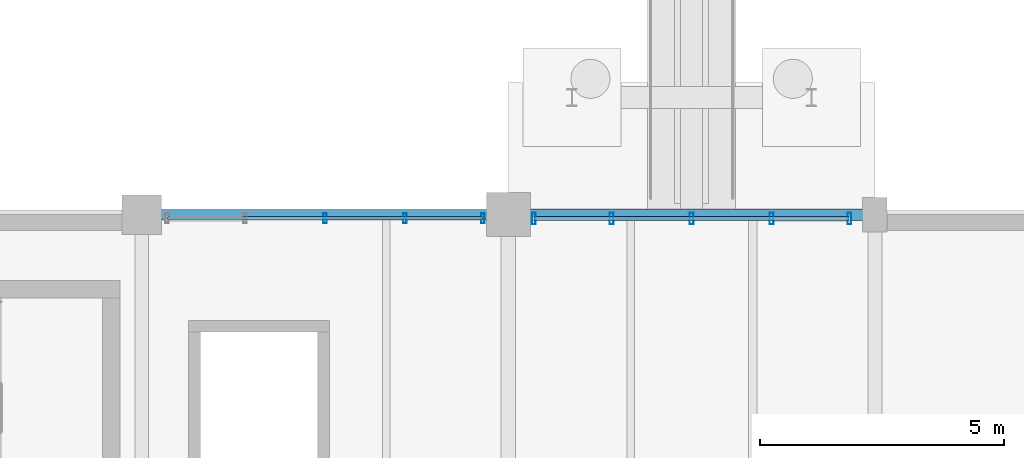
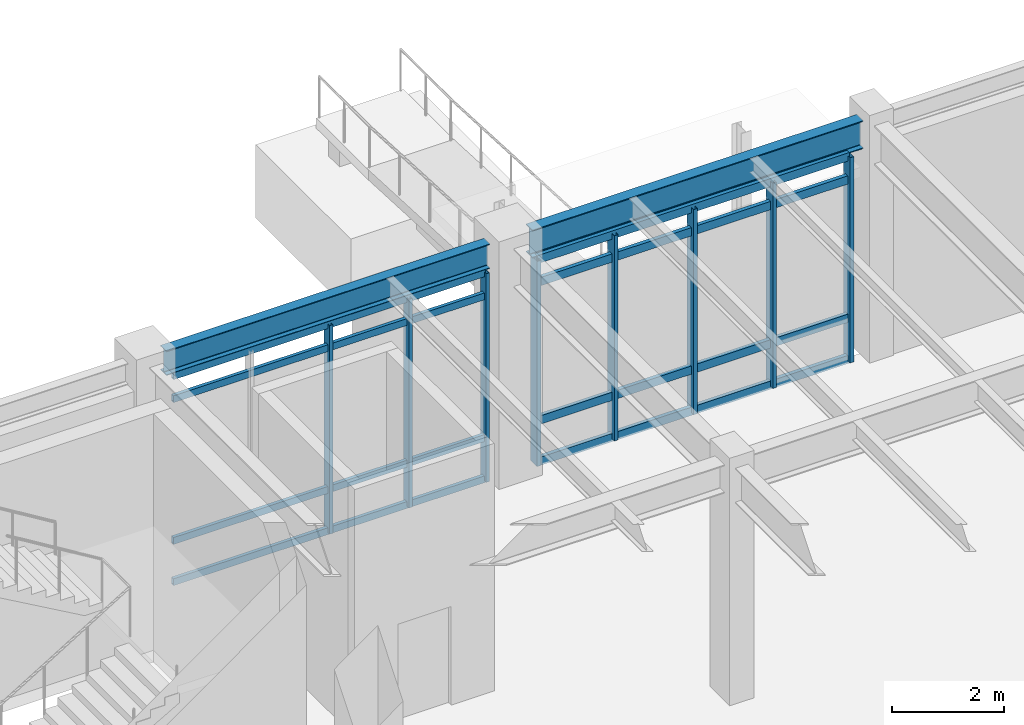
# One storey, part 139 of 203: 16 members, 2 beams, 2 elements without a shape of their own.
"""IFC4 building model written with IfcOpenShell, lengths in metres."""

from ifc_helpers import new_model, si_unit, direction, frame, origin, origin_2d, place, context, subcontext, project, spatial, hollow_rectangle, i_section, extrude, material, material_profile, profile_set, type_object, element, aggregate, save


model = new_model("IFC4")

# Units and contexts
model_context = context("Model", 3, precision=1e-05, world=origin(), true_north=direction((0.0, 1.0)))
body_context = subcontext(model_context, "Body", "Model", "MODEL_VIEW")
ifc_project = project(units=[si_unit("LENGTHUNIT", "METRE"), si_unit("AREAUNIT", "SQUARE_METRE"), si_unit("VOLUMEUNIT", "CUBIC_METRE"), si_unit("PLANEANGLEUNIT", "RADIAN"), si_unit("MASSUNIT", "GRAM", prefix="KILO"), si_unit("THERMODYNAMICTEMPERATUREUNIT", "KELVIN"), si_unit("POWERUNIT", "WATT")], contexts=[model_context])

# Site, building, storey
site_placement = place(None, origin())
site = spatial("IfcSite", under=ifc_project, at=site_placement, CompositionType="ELEMENT")
building_placement = place(site_placement, origin())
building = spatial("IfcBuilding", under=site, at=building_placement, Name="Tepalcoro Natatorium and Aquatics Centre", CompositionType="ELEMENT")
storey_placement = place(building_placement, origin())
storey = spatial("IfcBuildingStorey", under=building, at=storey_placement, Name="L00", CompositionType="ELEMENT", Elevation=0.0)

# Curtain wall, members
ifc_material_1 = material(Name="Bronze-Anodised Extruded Aluminium Alloy EN AW-6063 T6", Category="aluminium")
curtain_wall_type_1 = type_object("IfcCurtainWallType", Name="CW_LEAN_T1_EW", PredefinedType="USERDEFINED", material=ifc_material_1)
curtain_wall_1_placement = place(storey_placement, origin())
curtain_wall_1 = element("IfcCurtainWall", 1, at=curtain_wall_1_placement, inside=storey, type_object=curtain_wall_type_1, Name="V4 L00 N Unitised Curtain Wall Bay 2", ObjectType="FACETED SOLAR GLAZING", PredefinedType="USERDEFINED")
ifc_material_profile_1 = material_profile(ifc_material_1, hollow_rectangle(XDim=0.070068359375, YDim=0.199951171875, WallThickness=0.0048828125, at=origin_2d()), Name="AL70X200X5")
ifc_profile_set_1 = profile_set([ifc_material_profile_1], Name="Bronze-Anodised Extruded Aluminium Alloy EN AW-6063 T6")
member_type_1 = type_object("IfcMemberType", Name="CW_MUL_70x200", PredefinedType="MULLION", material=ifc_profile_set_1)
member_1_placement = place(storey_placement, frame((24.75, 117.9287109375, 0.02001953125), z_axis=(0.0, 0.0, 1.0), x_axis=(1.0, 0.0, 0.0)))
member_1 = element("IfcMember", 2, at=member_1_placement, type_object=member_type_1, Name="CW_LEAN_T1_EW Curtain Wall Mullion", PredefinedType="MULLION", context=body_context, shape_type="SweptSolid", body=[
    extrude(hollow_rectangle(XDim=0.070068359375, YDim=0.199951171875, WallThickness=0.0048828125, at=origin_2d()), origin(), (0.0, 0.0, 1.0), 4.553955078125),
])
member_2_placement = place(storey_placement, frame((26.385009765625, 117.9287109375, 0.02001953125), z_axis=(0.0, 0.0, 1.0), x_axis=(1.0, 0.0, 0.0)))
member_2 = element("IfcMember", 3, at=member_2_placement, type_object=member_type_1, Name="CW_LEAN_T1_EW Curtain Wall Mullion", PredefinedType="MULLION", context=body_context, shape_type="SweptSolid", body=[
    extrude(hollow_rectangle(XDim=0.070068359375, YDim=0.199951171875, WallThickness=0.0048828125, at=origin_2d()), origin(), (0.0, 0.0, 1.0), 4.553955078125),
])
member_3_placement = place(storey_placement, frame((27.97998046875, 117.9287109375, 0.02001953125), z_axis=(0.0, 0.0, 1.0), x_axis=(1.0, 0.0, 0.0)))
member_3 = element("IfcMember", 4, at=member_3_placement, type_object=member_type_1, Name="CW_LEAN_T1_EW Curtain Wall Mullion", PredefinedType="MULLION", context=body_context, shape_type="SweptSolid", body=[
    extrude(hollow_rectangle(XDim=0.070068359375, YDim=0.199951171875, WallThickness=0.0048828125, at=origin_2d()), origin(), (0.0, 0.0, 1.0), 4.553955078125),
])

curtain_wall_type_2 = type_object("IfcCurtainWallType", Name="CW_LEAN_T2_NS", PredefinedType="USERDEFINED", material=ifc_material_1)
curtain_wall_2_placement = place(storey_placement, origin())
curtain_wall_2 = element("IfcCurtainWall", 5, at=curtain_wall_2_placement, inside=storey, type_object=curtain_wall_type_2, Name="V4 L00 N Unitised Curtain Wall Bay 3", ObjectType="FACETED SOLAR GLAZING", PredefinedType="USERDEFINED")
ifc_material_profile_2 = material_profile(ifc_material_1, hollow_rectangle(XDim=0.080078125, YDim=0.239990234375, WallThickness=0.0048828125, at=origin_2d()), Name="AL80X240X5")
ifc_profile_set_2 = profile_set([ifc_material_profile_2], Name="Bronze-Anodised Extruded Aluminium Alloy EN AW-6063 T6")
member_type_2 = type_object("IfcMemberType", Name="CW_MUL_80x240", PredefinedType="MULLION", material=ifc_profile_set_2)
member_4_placement = place(storey_placement, frame((29.02001953125, 117.919921875, 0.02001953125), z_axis=(0.0, 0.0, 1.0), x_axis=(1.0, 0.0, 0.0)))
member_4 = element("IfcMember", 6, at=member_4_placement, type_object=member_type_2, Name="CW_LEAN_T2_NS Curtain Wall Mullion", PredefinedType="MULLION", context=body_context, shape_type="SweptSolid", body=[
    extrude(hollow_rectangle(XDim=0.080078125, YDim=0.239990234375, WallThickness=0.0048828125, at=origin_2d()), origin(), (0.0, 0.0, 1.0), 4.47802734375),
])
member_5_placement = place(storey_placement, frame((30.614990234375, 117.919921875, 0.02001953125), z_axis=(0.0, 0.0, 1.0), x_axis=(1.0, 0.0, 0.0)))
member_5 = element("IfcMember", 7, at=member_5_placement, type_object=member_type_2, Name="CW_LEAN_T2_NS Curtain Wall Mullion", PredefinedType="MULLION", context=body_context, shape_type="SweptSolid", body=[
    extrude(hollow_rectangle(XDim=0.080078125, YDim=0.239990234375, WallThickness=0.0048828125, at=origin_2d()), origin(), (0.0, 0.0, 1.0), 4.47802734375),
])
member_6_placement = place(storey_placement, frame((32.25, 117.919921875, 0.02001953125), z_axis=(0.0, 0.0, 1.0), x_axis=(1.0, 0.0, 0.0)))
member_6 = element("IfcMember", 8, at=member_6_placement, type_object=member_type_2, Name="CW_LEAN_T2_NS Curtain Wall Mullion", PredefinedType="MULLION", context=body_context, shape_type="SweptSolid", body=[
    extrude(hollow_rectangle(XDim=0.080078125, YDim=0.239990234375, WallThickness=0.0048828125, at=origin_2d()), origin(), (0.0, 0.0, 1.0), 4.47802734375),
])
member_7_placement = place(storey_placement, frame((33.885009765625, 117.919921875, 0.02001953125), z_axis=(0.0, 0.0, 1.0), x_axis=(1.0, 0.0, 0.0)))
member_7 = element("IfcMember", 9, at=member_7_placement, type_object=member_type_2, Name="CW_LEAN_T2_NS Curtain Wall Mullion", PredefinedType="MULLION", context=body_context, shape_type="SweptSolid", body=[
    extrude(hollow_rectangle(XDim=0.080078125, YDim=0.239990234375, WallThickness=0.0048828125, at=origin_2d()), origin(), (0.0, 0.0, 1.0), 4.47802734375),
])
member_8_placement = place(storey_placement, frame((35.47998046875, 117.919921875, 0.02001953125), z_axis=(0.0, 0.0, 1.0), x_axis=(1.0, 0.0, 0.0)))
member_8 = element("IfcMember", 10, at=member_8_placement, type_object=member_type_2, Name="CW_LEAN_T2_NS Curtain Wall Mullion", PredefinedType="MULLION", context=body_context, shape_type="SweptSolid", body=[
    extrude(hollow_rectangle(XDim=0.080078125, YDim=0.239990234375, WallThickness=0.0048828125, at=origin_2d()), origin(), (0.0, 0.0, 1.0), 4.47802734375),
])

# Member
ifc_material_profile_3 = material_profile(ifc_material_1, hollow_rectangle(XDim=0.070068359375, YDim=0.14990234375, WallThickness=0.00390625, at=origin_2d()), Name="AL70X150X4")
ifc_profile_set_3 = profile_set([ifc_material_profile_3], Name="Bronze-Anodised Extruded Aluminium Alloy EN AW-6063 T6")
member_type_3 = type_object("IfcMemberType", Name="CW_TRN_70x150", PredefinedType="USERDEFINED", material=ifc_profile_set_3)
member_9_placement = place(storey_placement, frame((21.530029296875, 117.9287109375, 0.050048828125), z_axis=(1.0, 0.0, 0.0), x_axis=(0.0, 1.0, 0.0)))
member_9 = element("IfcMember", 11, at=member_9_placement, type_object=member_type_3, Name="CW_LEAN_T1_EW Curtain Wall Transom", ObjectType="TRANSOM", PredefinedType="USERDEFINED", context=body_context, shape_type="SweptSolid", body=[
    extrude(hollow_rectangle(XDim=0.070068359375, YDim=0.14990234375, WallThickness=0.00390625, at=origin_2d()), origin(), (0.0, 0.0, 1.0), 6.43994140625),
])

member_10_placement = place(storey_placement, frame((21.530029296875, 117.9287109375, 0.949951171875), z_axis=(1.0, 0.0, 0.0), x_axis=(0.0, 1.0, 0.0)))
member_10 = element("IfcMember", 12, at=member_10_placement, type_object=member_type_3, Name="CW_LEAN_T1_EW Curtain Wall Transom", ObjectType="TRANSOM", PredefinedType="USERDEFINED", context=body_context, shape_type="SweptSolid", body=[
    extrude(hollow_rectangle(XDim=0.070068359375, YDim=0.14990234375, WallThickness=0.00390625, at=origin_2d()), origin(), (0.0, 0.0, 1.0), 6.43994140625),
])

member_11_placement = place(storey_placement, frame((21.530029296875, 117.9287109375, 4.0439453125), z_axis=(1.0, 0.0, 0.0), x_axis=(0.0, 1.0, 0.0)))
member_11 = element("IfcMember", 13, at=member_11_placement, type_object=member_type_3, Name="CW_LEAN_T1_EW Curtain Wall Transom", ObjectType="TRANSOM", PredefinedType="USERDEFINED", context=body_context, shape_type="SweptSolid", body=[
    extrude(hollow_rectangle(XDim=0.070068359375, YDim=0.14990234375, WallThickness=0.00390625, at=origin_2d()), origin(), (0.0, 0.0, 1.0), 6.43994140625),
])

member_12_placement = place(storey_placement, frame((21.530029296875, 117.9287109375, 4.5439453125), z_axis=(1.0, 0.0, 0.0), x_axis=(0.0, 1.0, 0.0)))
member_12 = element("IfcMember", 14, at=member_12_placement, type_object=member_type_3, Name="CW_LEAN_T1_EW Curtain Wall Transom", ObjectType="TRANSOM", PredefinedType="USERDEFINED", context=body_context, shape_type="SweptSolid", body=[
    extrude(hollow_rectangle(XDim=0.070068359375, YDim=0.14990234375, WallThickness=0.00390625, at=origin_2d()), origin(), (0.0, 0.0, 1.0), 6.43994140625),
])

aggregate(curtain_wall_1, [member_1, member_2, member_3, member_9, member_10, member_11, member_12])

ifc_material_profile_4 = material_profile(ifc_material_1, hollow_rectangle(XDim=0.080078125, YDim=0.179931640625, WallThickness=0.0048828125, at=origin_2d()), Name="AL80X180X5")
ifc_profile_set_4 = profile_set([ifc_material_profile_4], Name="Bronze-Anodised Extruded Aluminium Alloy EN AW-6063 T6")
member_type_4 = type_object("IfcMemberType", Name="CW_TRN_80x180", PredefinedType="USERDEFINED", material=ifc_profile_set_4)
member_13_placement = place(storey_placement, frame((29.030029296875, 117.919921875, 0.050048828125), z_axis=(1.0, 0.0, 0.0), x_axis=(0.0, 1.0, 0.0)))
member_13 = element("IfcMember", 15, at=member_13_placement, type_object=member_type_4, Name="CW_LEAN_T2_NS Curtain Wall Transom", ObjectType="TRANSOM", PredefinedType="USERDEFINED", context=body_context, shape_type="SweptSolid", body=[
    extrude(hollow_rectangle(XDim=0.080078125, YDim=0.179931640625, WallThickness=0.0048828125, at=origin_2d()), origin(), (0.0, 0.0, 1.0), 6.43994140625),
])

member_14_placement = place(storey_placement, frame((29.030029296875, 117.919921875, 0.949951171875), z_axis=(1.0, 0.0, 0.0), x_axis=(0.0, 1.0, 0.0)))
member_14 = element("IfcMember", 16, at=member_14_placement, type_object=member_type_4, Name="CW_LEAN_T2_NS Curtain Wall Transom", ObjectType="TRANSOM", PredefinedType="USERDEFINED", context=body_context, shape_type="SweptSolid", body=[
    extrude(hollow_rectangle(XDim=0.080078125, YDim=0.179931640625, WallThickness=0.0048828125, at=origin_2d()), origin(), (0.0, 0.0, 1.0), 6.43994140625),
])

member_15_placement = place(storey_placement, frame((29.030029296875, 117.919921875, 3.968017578125), z_axis=(1.0, 0.0, 0.0), x_axis=(0.0, 1.0, 0.0)))
member_15 = element("IfcMember", 17, at=member_15_placement, type_object=member_type_4, Name="CW_LEAN_T2_NS Curtain Wall Transom", ObjectType="TRANSOM", PredefinedType="USERDEFINED", context=body_context, shape_type="SweptSolid", body=[
    extrude(hollow_rectangle(XDim=0.080078125, YDim=0.179931640625, WallThickness=0.0048828125, at=origin_2d()), origin(), (0.0, 0.0, 1.0), 6.43994140625),
])

member_16_placement = place(storey_placement, frame((29.030029296875, 117.919921875, 4.468017578125), z_axis=(1.0, 0.0, 0.0), x_axis=(0.0, 1.0, 0.0)))
member_16 = element("IfcMember", 18, at=member_16_placement, type_object=member_type_4, Name="CW_LEAN_T2_NS Curtain Wall Transom", ObjectType="TRANSOM", PredefinedType="USERDEFINED", context=body_context, shape_type="SweptSolid", body=[
    extrude(hollow_rectangle(XDim=0.080078125, YDim=0.179931640625, WallThickness=0.0048828125, at=origin_2d()), origin(), (0.0, 0.0, 1.0), 6.43994140625),
])

aggregate(curtain_wall_2, [member_4, member_5, member_6, member_7, member_8, member_13, member_14, member_15, member_16])

# Beams
ifc_material_2 = material(Name="Steel ASTM A992 Grade 50 (Fy 345 MPa)", Category="steel")
ifc_material_profile_5 = material_profile(ifc_material_2, i_section(OverallWidth=0.2099609375, OverallDepth=0.535888671875, WebThickness=0.010986328125, FlangeThickness=0.01708984375, FilletRadius=0.013916015625, at=origin_2d()), Name="W21X68")
ifc_profile_set_5 = profile_set([ifc_material_profile_5], Name="Steel ASTM A992 Grade 50 (Fy 345 MPa)")
beam_type_1 = type_object("IfcBeamType", Name="SP_W21x68", PredefinedType="SPANDREL", material=ifc_profile_set_5)
beam_1_placement = place(storey_placement, frame((21.385009765625, 118.0, 4.876953125), z_axis=(1.0, 0.0, 0.0), x_axis=(0.0, 1.0, 0.0)))
element("IfcBeam", 19, at=beam_1_placement, inside=storey, type_object=beam_type_1, Name="V4 L00 Grid Girder X", PredefinedType="SPANDREL", context=body_context, shape_type="SweptSolid", body=[
    extrude(i_section(OverallWidth=0.2099609375, OverallDepth=0.535888671875, WebThickness=0.010986328125, FlangeThickness=0.01708984375, FilletRadius=0.013916015625, at=origin_2d()), origin(), (0.0, 0.0, 1.0), 6.679931640625),
])
ifc_material_profile_6 = material_profile(ifc_material_2, i_section(OverallWidth=0.22900390625, OverallDepth=0.612060546875, WebThickness=0.011962890625, FlangeThickness=0.02001953125, FilletRadius=0.013916015625, at=origin_2d()), Name="W24X84")
ifc_profile_set_6 = profile_set([ifc_material_profile_6], Name="Steel ASTM A992 Grade 50 (Fy 345 MPa)")
beam_type_2 = type_object("IfcBeamType", Name="SP_W24x84", PredefinedType="SPANDREL", material=ifc_profile_set_6)
beam_2_placement = place(storey_placement, frame((28.93505859375, 118.0, 4.839111328125), z_axis=(1.0, 0.0, 0.0), x_axis=(0.0, 1.0, 0.0)))
element("IfcBeam", 20, at=beam_2_placement, inside=storey, type_object=beam_type_2, Name="V4 L00 Grid Girder X", PredefinedType="SPANDREL", context=body_context, shape_type="SweptSolid", body=[
    extrude(i_section(OverallWidth=0.22900390625, OverallDepth=0.612060546875, WebThickness=0.011962890625, FlangeThickness=0.02001953125, FilletRadius=0.013916015625, at=origin_2d()), origin(), (0.0, 0.0, 1.0), 6.829833984375),
])

save(model, "model.ifc")
